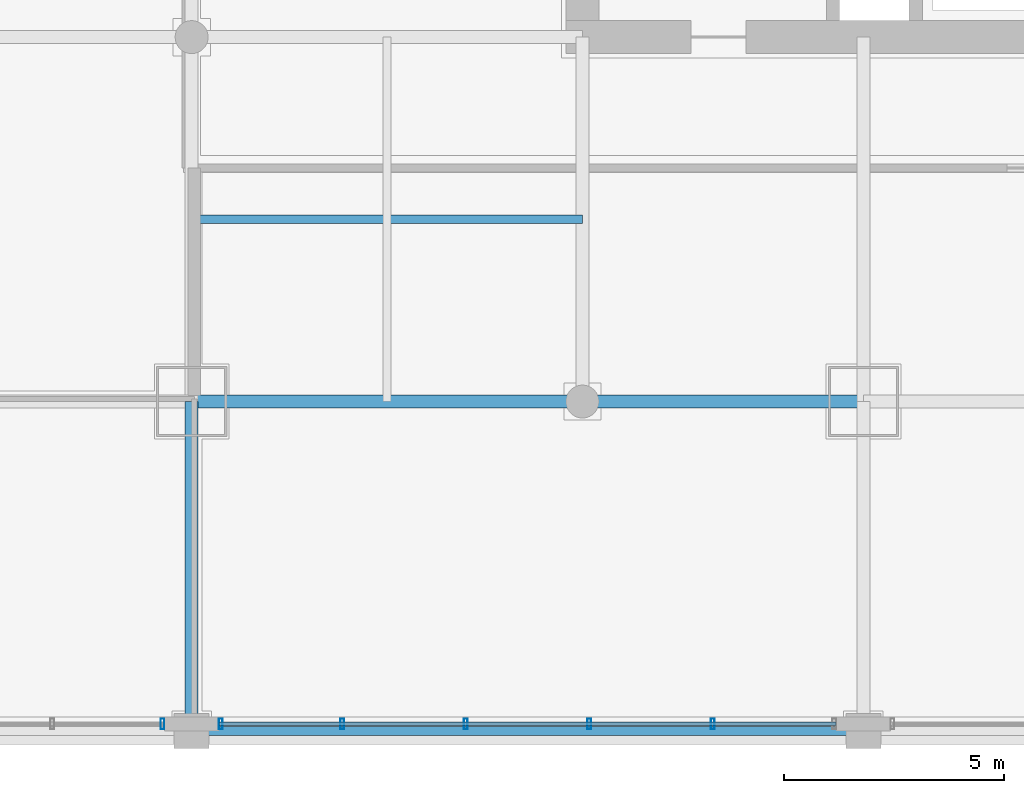
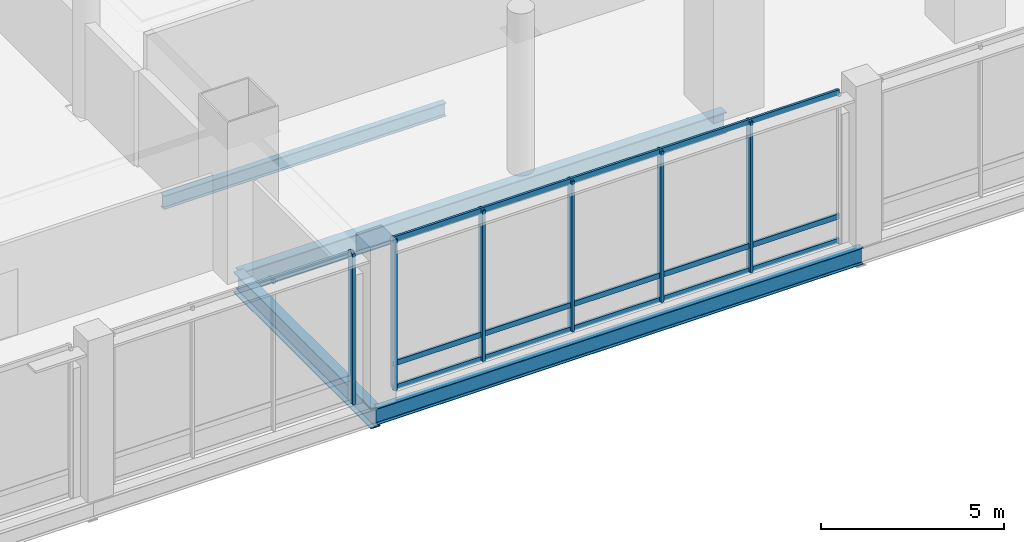
# One storey, part 4 of 35: 9 members, 4 beams, 2 elements without a shape of their own.
"""IFC4 building model written with IfcOpenShell, lengths in metres."""

import ifcopenshell
import ifcopenshell.guid

model = None  # the IFC model being written
_history = None  # IfcOwnerHistory: only IFC2X3 demands one
_inside = {}  # id of a spatial element -> (the spatial element, [elements in it])
_under = {}  # id of a project, library or spatial element -> (it, [spatial elements below it])
_declared = {}  # id of a project -> (the project, [libraries it declares])
_typed = {}  # id of a type object -> (the type object, [elements of that type])
_made_of = {}  # id of a material, layer set ... -> (it, [elements and type objects made of it])


def new_model(schema):
    """Start an empty IFC model of exactly this schema.

    Asked for "IFC4X3", IfcOpenShell would pick the latest addendum, in which some entities
    have other attributes; the version numbers below select the first issue.
    IFC2X3 requires an IfcOwnerHistory on every rooted entity: one is made here for all.
    """
    global model, _history
    if schema == "IFC4X3":
        model = ifcopenshell.file(schema_version=(4, 3, 0, 0))
    else:
        model = ifcopenshell.file(schema=schema)
    _inside.clear()
    _under.clear()
    _declared.clear()
    _typed.clear()
    _made_of.clear()
    _history = None
    if model.schema == "IFC2X3":
        org = make("IfcOrganization", Name="unknown")
        user = make(
            "IfcPersonAndOrganization",
            ThePerson=make("IfcPerson", FamilyName="unknown"),
            TheOrganization=org,
        )
        app = make(
            "IfcApplication",
            ApplicationDeveloper=org,
            Version="unknown",
            ApplicationFullName="unknown",
            ApplicationIdentifier="unknown",
        )
        _history = make(
            "IfcOwnerHistory",
            OwningUser=user,
            OwningApplication=app,
            ChangeAction="ADDED",
            CreationDate=0,
        )
    return model


def make(cls, **values):
    """One entity of the class cls with the attributes given. An attribute that is None is left unset."""
    return model.create_entity(
        cls, **{name: value for name, value in values.items() if value is not None}
    )


def rooted(cls, **values):
    """An entity with a GlobalId (a new one), such as an element, a storey or a relation."""
    return make(cls, GlobalId=ifcopenshell.guid.new(), OwnerHistory=_history, **values)


def si_unit(unit_type, name, prefix=None):
    """IfcSIUnit, for example si_unit("LENGTHUNIT", "METRE", prefix="MILLI")."""
    return make("IfcSIUnit", UnitType=unit_type, Prefix=prefix, Name=name)


def assignment(units):
    """IfcUnitAssignment: the units of a project."""
    return None if units is None else make("IfcUnitAssignment", Units=units)


def point(xyz):
    """IfcCartesianPoint."""
    return None if xyz is None else make("IfcCartesianPoint", Coordinates=xyz)


def direction(xyz):
    """IfcDirection."""
    return None if xyz is None else make("IfcDirection", DirectionRatios=xyz)


def frame(location, z_axis=None, x_axis=None):
    """IfcAxis2Placement3D, a coordinate frame: its origin and axes. An axis left out is left unset."""
    return make(
        "IfcAxis2Placement3D",
        Location=point(location),
        Axis=direction(z_axis),
        RefDirection=direction(x_axis),
    )


def frame_2d(location, x_axis=None):
    """IfcAxis2Placement2D, a coordinate frame in the plane: its origin and x axis."""
    return make(
        "IfcAxis2Placement2D", Location=point(location), RefDirection=direction(x_axis)
    )


def origin():
    """The frame at (0, 0, 0) with its axes left unset."""
    return frame((0.0, 0.0, 0.0))


def origin_2d():
    """The frame at (0, 0) in the plane with its x axis left unset."""
    return frame_2d((0.0, 0.0))


def place(relative_to, where):
    """IfcLocalPlacement: puts the frame where relative to a parent placement (None: the world)."""
    return make(
        "IfcLocalPlacement", PlacementRelTo=relative_to, RelativePlacement=where
    )


def context(
    kind, dimensions, precision=None, world=None, true_north=None, identifier=None
):
    """IfcGeometricRepresentationContext, for example the 3D "Model" context."""
    return make(
        "IfcGeometricRepresentationContext",
        ContextIdentifier=identifier,
        ContextType=kind,
        CoordinateSpaceDimension=dimensions,
        Precision=precision,
        WorldCoordinateSystem=world,
        TrueNorth=true_north,
    )


def subcontext(parent, identifier, kind, view, scale=None):
    """IfcGeometricRepresentationSubContext, for example "Body" below "Model"."""
    return make(
        "IfcGeometricRepresentationSubContext",
        ContextIdentifier=identifier,
        ContextType=kind,
        ParentContext=parent,
        TargetScale=scale,
        TargetView=view,
    )


def project(units=None, contexts=None):
    """IfcProject with its units and contexts."""
    return rooted(
        "IfcProject",
        Name="project",
        RepresentationContexts=contexts,
        UnitsInContext=assignment(units),
    )


def spatial(cls, under=None, at=None, **own):
    """A site, building, storey or space (cls), placed at a placement, below another one or the project."""
    s = rooted(cls, ObjectPlacement=at, **own)
    if under is not None:
        _under.setdefault(under.id(), (under, []))[1].append(s)
    return s


def profile(cls, at=None, kind="AREA", **sizes):
    """A parametric profile (cls). Its sizes go by their IFC names, for example OverallWidth=200.0."""
    return make(cls, ProfileType=kind, Position=at, **sizes)


def hollow_rectangle(**sizes):
    """IfcRectangleHollowProfileDef."""
    return profile("IfcRectangleHollowProfileDef", **sizes)


def i_section(**sizes):
    """IfcIShapeProfileDef."""
    return profile("IfcIShapeProfileDef", **sizes)


def extrude(swept, where, along, depth):
    """IfcExtrudedAreaSolid: the profile swept, set in the frame where, extruded along a direction by depth."""
    return make(
        "IfcExtrudedAreaSolid",
        SweptArea=swept,
        Position=where,
        ExtrudedDirection=direction(along),
        Depth=depth,
    )


def shape(context_of_items, identifier, shape_type, items):
    """IfcShapeRepresentation: the items that make up one representation, for example the "Body"."""
    return make(
        "IfcShapeRepresentation",
        ContextOfItems=context_of_items,
        RepresentationIdentifier=identifier,
        RepresentationType=shape_type,
        Items=items,
    )


def material(Name=None, Category=None):
    """IfcMaterial."""
    return make("IfcMaterial", Name=Name, Category=Category)


def material_profile(
    of_material, cross_section, Name=None, Category=None, Priority=None
):
    """IfcMaterialProfile: a cross section and its material."""
    return make(
        "IfcMaterialProfile",
        Name=Name,
        Material=of_material,
        Profile=cross_section,
        Priority=Priority,
        Category=Category,
    )


def profile_set(profiles, Name=None, composite=None):
    """IfcMaterialProfileSet."""
    return make(
        "IfcMaterialProfileSet",
        Name=Name,
        MaterialProfiles=profiles,
        CompositeProfile=composite,
    )


def made_of(thing, what):
    """Note that an element or type object is made of a material, layer set ...; save() writes the relation."""
    if what is not None:
        _made_of.setdefault(what.id(), (what, []))[1].append(thing)
    return thing


def type_object(cls, material=None, **own):
    """A type object (cls), such as IfcWallType, which elements share."""
    return made_of(rooted(cls, **own), material)


def element(
    cls,
    number,
    at=None,
    inside=None,
    cuts=None,
    type_object=None,
    material=None,
    context=None,
    identifier="Body",
    shape_type=None,
    held_by="IfcProductDefinitionShape",
    body=None,
    shapes=None,
    **own,
):
    """One element of the class cls, such as IfcWall. Its Tag is "e" and its number.

    at: its placement. inside: the storey or other place that contains it. cuts: it is an
    opening in that element (IfcRelVoidsElement). A single representation is given by context,
    identifier, shape_type and body (its items); several are given by shapes. held_by: the class
    of the entity that holds the representations. save() writes the other relations.
    """
    e = rooted(cls, Tag="e%d" % number, ObjectPlacement=at, **own)
    if body is not None:
        shapes = [shape(context, identifier, shape_type, body)]
    if shapes is not None:
        e.Representation = make(held_by, Representations=shapes)
    if inside is not None:
        _inside.setdefault(inside.id(), (inside, []))[1].append(e)
    if cuts is not None:
        rooted(
            "IfcRelVoidsElement", RelatingBuildingElement=cuts, RelatedOpeningElement=e
        )
    if type_object is not None:
        _typed.setdefault(type_object.id(), (type_object, []))[1].append(e)
    return made_of(e, material)


def aggregate(whole, parts):
    """IfcRelAggregates: a whole, such as a stair, and the parts it consists of."""
    return rooted("IfcRelAggregates", RelatingObject=whole, RelatedObjects=parts)


def save(model, path):
    """Write the relations noted so far, then the file.

    IfcRelAggregates (storeys below a building ...), IfcRelContainedInSpatialStructure (elements
    in a storey), IfcRelDefinesByType, IfcRelAssociatesMaterial and IfcRelDeclares: one each for
    every whole, place, type object, material and project.
    """
    for whole, parts in _under.values():
        aggregate(whole, parts)
    for where, things in _inside.values():
        rooted(
            "IfcRelContainedInSpatialStructure",
            RelatedElements=things,
            RelatingStructure=where,
        )
    for kind, things in _typed.values():
        rooted("IfcRelDefinesByType", RelatedObjects=things, RelatingType=kind)
    for what, things in _made_of.values():
        rooted("IfcRelAssociatesMaterial", RelatedObjects=things, RelatingMaterial=what)
    for by, libraries in _declared.values():
        rooted("IfcRelDeclares", RelatingContext=by, RelatedDefinitions=libraries)
    model.write(path)


model = new_model("IFC4")

# Units and contexts
model_context = context("Model", 3, precision=1e-05, world=origin(), true_north=direction((0.0, 1.0)))
body_context = subcontext(model_context, "Body", "Model", "MODEL_VIEW")
ifc_project = project(units=[si_unit("LENGTHUNIT", "METRE"), si_unit("AREAUNIT", "SQUARE_METRE"), si_unit("VOLUMEUNIT", "CUBIC_METRE"), si_unit("PLANEANGLEUNIT", "RADIAN"), si_unit("MASSUNIT", "GRAM", prefix="KILO")], contexts=[model_context])

# Site, building, storey
site_placement = place(None, origin())
site = spatial("IfcSite", under=ifc_project, at=site_placement, CompositionType="ELEMENT")
building_placement = place(site_placement, origin())
building = spatial("IfcBuilding", under=site, at=building_placement, Name="Punatoya Terracotta Tower", CompositionType="ELEMENT")
storey_placement = place(building_placement, frame((0.0, 0.0, 16.800048828125)))
storey = spatial("IfcBuildingStorey", under=building, at=storey_placement, Name="L03", CompositionType="ELEMENT", Elevation=16.800048828125)

# Beams
ifc_material_1 = material(Name="Steel S355", Category="steel")
ifc_material_profile_1 = material_profile(ifc_material_1, i_section(OverallWidth=0.300048828125, OverallDepth=0.699951171875, WebThickness=0.01708984375, FlangeThickness=0.031982421875, FilletRadius=0.01806640625, at=origin_2d()))
ifc_profile_set_1 = profile_set([ifc_material_profile_1], Name="Steel S355")
beam_type_1 = type_object("IfcBeamType", Name="BM-PRI-700", PredefinedType="BEAM", material=ifc_profile_set_1)
beam_1_placement = place(storey_placement, frame((-19.10009765625, -17.5, -0.630126953125), z_axis=(1.0, 0.0, 0.0), x_axis=(0.0, 1.0, 0.0)))
element("IfcBeam", 1, at=beam_1_placement, inside=storey, type_object=beam_type_1, Name="BM-L03-RG-S1", PredefinedType="BEAM", context=body_context, shape_type="SweptSolid", body=[
    extrude(i_section(OverallWidth=0.300048828125, OverallDepth=0.699951171875, WebThickness=0.01708984375, FlangeThickness=0.031982421875, FilletRadius=0.01806640625, at=origin_2d()), origin(), (0.0, 0.0, 1.0), 15.300048828125),
])
beam_2_placement = place(storey_placement, frame((-19.10009765625, -25.0, -0.630126953125), z_axis=(0.0, 1.0, 0.0), x_axis=(-1.0, 0.0, 0.0)))
element("IfcBeam", 2, at=beam_2_placement, inside=storey, type_object=beam_type_1, Name="BM-L03-M19W--25", PredefinedType="BEAM", context=body_context, shape_type="SweptSolid", body=[
    extrude(i_section(OverallWidth=0.300048828125, OverallDepth=0.699951171875, WebThickness=0.01708984375, FlangeThickness=0.031982421875, FilletRadius=0.01806640625, at=origin_2d()), origin(), (0.0, 0.0, 1.0), 7.5),
])
ifc_material_profile_2 = material_profile(ifc_material_1, i_section(OverallWidth=0.18994140625, OverallDepth=0.449951171875, WebThickness=0.009521484375, FlangeThickness=0.0146484375, FilletRadius=0.01806640625, at=origin_2d()))
ifc_profile_set_2 = profile_set([ifc_material_profile_2], Name="Steel S355")
beam_type_2 = type_object("IfcBeamType", Name="BM-SEC-450", PredefinedType="JOIST", material=ifc_profile_set_2)
beam_3_placement = place(storey_placement, frame((-19.10009765625, -13.35009765625, -0.505126953125), z_axis=(1.0, 0.0, 0.0), x_axis=(0.0, 1.0, 0.0)))
element("IfcBeam", 3, at=beam_3_placement, inside=storey, type_object=beam_type_2, Name="BM-L03-SJS-1", PredefinedType="JOIST", context=body_context, shape_type="SweptSolid", body=[
    extrude(i_section(OverallWidth=0.18994140625, OverallDepth=0.449951171875, WebThickness=0.009521484375, FlangeThickness=0.0146484375, FilletRadius=0.01806640625, at=origin_2d()), origin(), (0.0, 0.0, 1.0), 8.900146484375),
])
ifc_material_profile_3 = material_profile(ifc_material_1, i_section(OverallWidth=0.2099609375, OverallDepth=0.550048828125, WebThickness=0.010986328125, FlangeThickness=0.01708984375, FilletRadius=0.01806640625, at=origin_2d()))
ifc_profile_set_3 = profile_set([ifc_material_profile_3], Name="Steel S355")
beam_type_3 = type_object("IfcBeamType", Name="BM-SPN-550", PredefinedType="SPANDREL", material=ifc_profile_set_3)
beam_4_placement = place(storey_placement, frame((-19.10009765625, -25.0, -0.554931640625), z_axis=(1.0, 0.0, 0.0), x_axis=(0.0, 1.0, 0.0)))
element("IfcBeam", 4, at=beam_4_placement, inside=storey, type_object=beam_type_3, Name="BM-L03-MIDA-1", PredefinedType="SPANDREL", context=body_context, shape_type="SweptSolid", body=[
    extrude(i_section(OverallWidth=0.2099609375, OverallDepth=0.550048828125, WebThickness=0.010986328125, FlangeThickness=0.01708984375, FilletRadius=0.01806640625, at=origin_2d()), origin(), (0.0, 0.0, 1.0), 15.300048828125),
])

# Curtain wall, member
ifc_material_2 = material(Name="Aluminium 6063-T6 + Double Low-E Glass", Category="aluminium")
curtain_wall_type = type_object("IfcCurtainWallType", Name="CW-POD", PredefinedType="NOTDEFINED", material=ifc_material_2)
curtain_wall_1_placement = place(storey_placement, origin())
curtain_wall_1 = element("IfcCurtainWall", 5, at=curtain_wall_1_placement, inside=storey, type_object=curtain_wall_type, Name="L03 Curtain Wall CWP-L03-S2", PredefinedType="NOTDEFINED")
ifc_material_3 = material(Name="Aluminium 6063-T6", Category="aluminium")
ifc_material_profile_4 = material_profile(ifc_material_3, hollow_rectangle(XDim=0.0849609375, YDim=0.239990234375, WallThickness=0.0048828125, at=origin_2d()))
ifc_profile_set_4 = profile_set([ifc_material_profile_4], Name="Aluminium 6063-T6")
member_type_1 = type_object("IfcMemberType", Name="CW-MUL-POD", PredefinedType="MULLION", material=ifc_profile_set_4)
member_1_placement = place(storey_placement, frame((-19.764892578125, -24.840087890625, 0.0), z_axis=(0.0, 0.0, 1.0), x_axis=(1.0, 0.0, 0.0)))
member_1 = element("IfcMember", 6, at=member_1_placement, type_object=member_type_1, Name="CWP-L03-S2 Mullion 03", PredefinedType="MULLION", context=body_context, shape_type="SweptSolid", body=[
    extrude(hollow_rectangle(XDim=0.0849609375, YDim=0.239990234375, WallThickness=0.0048828125, at=origin_2d()), origin(), (0.0, 0.0, 1.0), 5.02001953125),
])
aggregate(curtain_wall_1, [member_1])

# Curtain wall, members
curtain_wall_2_placement = place(storey_placement, origin())
curtain_wall_2 = element("IfcCurtainWall", 7, at=curtain_wall_2_placement, inside=storey, type_object=curtain_wall_type, Name="L03 Curtain Wall CWP-L03-S3", PredefinedType="NOTDEFINED")
member_2_placement = place(storey_placement, frame((-18.43505859375, -24.840087890625, 0.0), z_axis=(0.0, 0.0, 1.0), x_axis=(1.0, 0.0, 0.0)))
member_2 = element("IfcMember", 8, at=member_2_placement, type_object=member_type_1, Name="CWP-L03-S3 Mullion 00", PredefinedType="MULLION", context=body_context, shape_type="SweptSolid", body=[
    extrude(hollow_rectangle(XDim=0.0849609375, YDim=0.239990234375, WallThickness=0.0048828125, at=origin_2d()), origin(), (0.0, 0.0, 1.0), 5.02001953125),
])
member_3_placement = place(storey_placement, frame((-15.66796875, -24.840087890625, 0.0), z_axis=(0.0, 0.0, 1.0), x_axis=(1.0, 0.0, 0.0)))
member_3 = element("IfcMember", 9, at=member_3_placement, type_object=member_type_1, Name="CWP-L03-S3 Mullion 01", PredefinedType="MULLION", context=body_context, shape_type="SweptSolid", body=[
    extrude(hollow_rectangle(XDim=0.0849609375, YDim=0.239990234375, WallThickness=0.0048828125, at=origin_2d()), origin(), (0.0, 0.0, 1.0), 5.02001953125),
])
member_4_placement = place(storey_placement, frame((-12.85595703125, -24.840087890625, 0.0), z_axis=(0.0, 0.0, 1.0), x_axis=(1.0, 0.0, 0.0)))
member_4 = element("IfcMember", 10, at=member_4_placement, type_object=member_type_1, Name="CWP-L03-S3 Mullion 02", PredefinedType="MULLION", context=body_context, shape_type="SweptSolid", body=[
    extrude(hollow_rectangle(XDim=0.0849609375, YDim=0.239990234375, WallThickness=0.0048828125, at=origin_2d()), origin(), (0.0, 0.0, 1.0), 5.02001953125),
])
member_5_placement = place(storey_placement, frame((-10.0439453125, -24.840087890625, 0.0), z_axis=(0.0, 0.0, 1.0), x_axis=(1.0, 0.0, 0.0)))
member_5 = element("IfcMember", 11, at=member_5_placement, type_object=member_type_1, Name="CWP-L03-S3 Mullion 03", PredefinedType="MULLION", context=body_context, shape_type="SweptSolid", body=[
    extrude(hollow_rectangle(XDim=0.0849609375, YDim=0.239990234375, WallThickness=0.0048828125, at=origin_2d()), origin(), (0.0, 0.0, 1.0), 5.02001953125),
])
member_6_placement = place(storey_placement, frame((-7.23193359375, -24.840087890625, 0.0), z_axis=(0.0, 0.0, 1.0), x_axis=(1.0, 0.0, 0.0)))
member_6 = element("IfcMember", 12, at=member_6_placement, type_object=member_type_1, Name="CWP-L03-S3 Mullion 04", PredefinedType="MULLION", context=body_context, shape_type="SweptSolid", body=[
    extrude(hollow_rectangle(XDim=0.0849609375, YDim=0.239990234375, WallThickness=0.0048828125, at=origin_2d()), origin(), (0.0, 0.0, 1.0), 5.02001953125),
])
ifc_material_profile_5 = material_profile(ifc_material_3, hollow_rectangle(XDim=0.074951171875, YDim=0.175048828125, WallThickness=0.00439453125, at=origin_2d()))
ifc_profile_set_5 = profile_set([ifc_material_profile_5], Name="Aluminium 6063-T6")
member_type_2 = type_object("IfcMemberType", Name="CW-TRN-POD", PredefinedType="USERDEFINED", material=ifc_profile_set_5)
member_7_placement = place(storey_placement, frame((-18.47998046875, -24.840087890625, 0.0400390625), z_axis=(1.0, 0.0, 0.0), x_axis=(0.0, 1.0, 0.0)))
member_7 = element("IfcMember", 13, at=member_7_placement, type_object=member_type_2, Name="CWP-L03-S3 Transom 1", ObjectType="TRANSOM", PredefinedType="USERDEFINED", context=body_context, shape_type="SweptSolid", body=[
    extrude(hollow_rectangle(XDim=0.074951171875, YDim=0.175048828125, WallThickness=0.00439453125, at=origin_2d()), origin(), (0.0, 0.0, 1.0), 14.06005859375),
])
member_8_placement = place(storey_placement, frame((-18.47998046875, -24.840087890625, 0.849853515625), z_axis=(1.0, 0.0, 0.0), x_axis=(0.0, 1.0, 0.0)))
member_8 = element("IfcMember", 14, at=member_8_placement, type_object=member_type_2, Name="CWP-L03-S3 Transom 2", ObjectType="TRANSOM", PredefinedType="USERDEFINED", context=body_context, shape_type="SweptSolid", body=[
    extrude(hollow_rectangle(XDim=0.074951171875, YDim=0.175048828125, WallThickness=0.00439453125, at=origin_2d()), origin(), (0.0, 0.0, 1.0), 14.06005859375),
])
member_9_placement = place(storey_placement, frame((-18.47998046875, -24.840087890625, 4.97998046875), z_axis=(1.0, 0.0, 0.0), x_axis=(0.0, 1.0, 0.0)))
member_9 = element("IfcMember", 15, at=member_9_placement, type_object=member_type_2, Name="CWP-L03-S3 Transom 3", ObjectType="TRANSOM", PredefinedType="USERDEFINED", context=body_context, shape_type="SweptSolid", body=[
    extrude(hollow_rectangle(XDim=0.074951171875, YDim=0.175048828125, WallThickness=0.00439453125, at=origin_2d()), origin(), (0.0, 0.0, 1.0), 14.06005859375),
])
aggregate(curtain_wall_2, [member_2, member_3, member_4, member_5, member_6, member_7, member_8, member_9])

save(model, "model.ifc")
